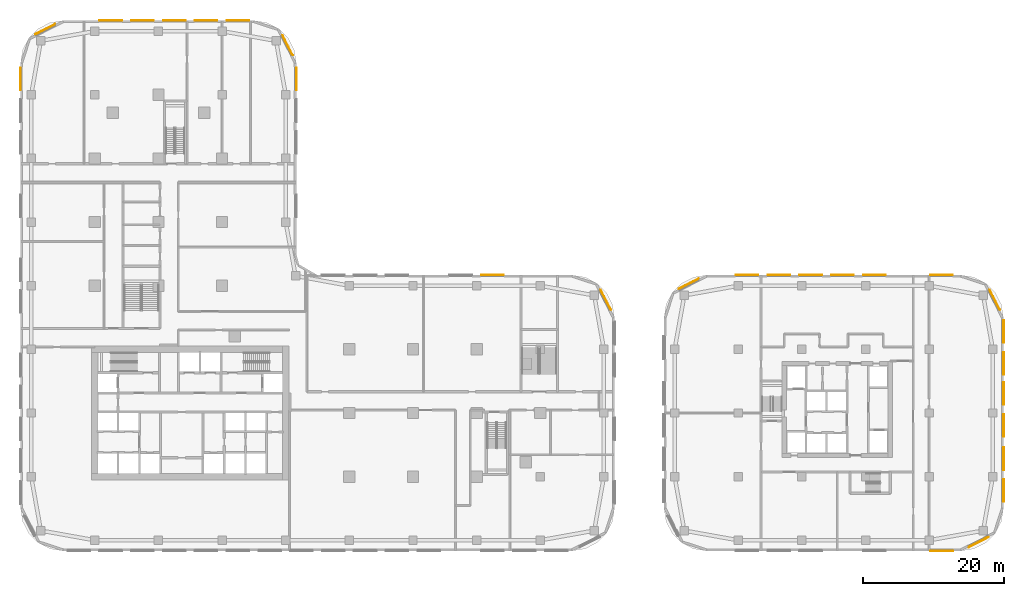
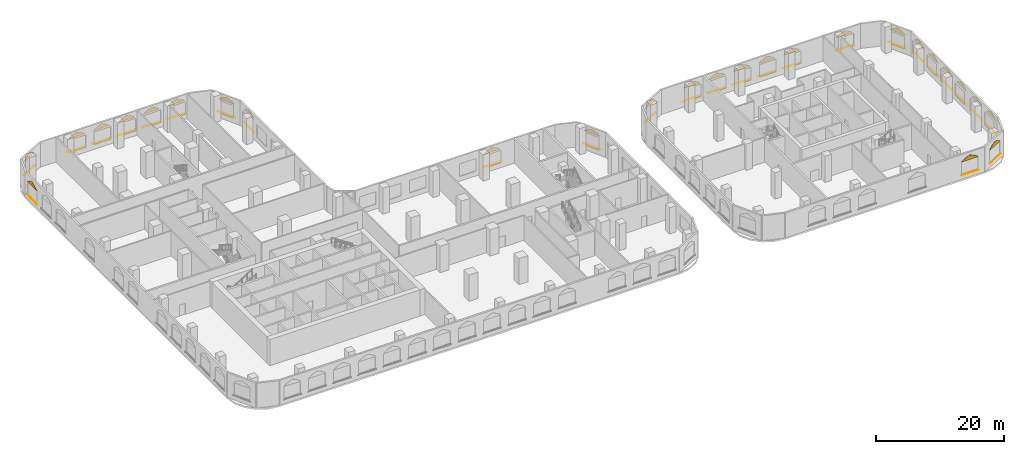
# One storey, part 31 of 31: 54 coverings.
"""IFC4 building model written with IfcOpenShell, lengths in metres."""

from ifc_helpers import new_model, si_unit, direction, frame, origin, origin_2d, place, context, subcontext, project, spatial, polyline, rectangle, outline, extrude, material, layer, layer_set, type_object, element, save


model = new_model("IFC4")

# Units and contexts
model_context = context("Model", 3, precision=1e-05, world=origin(), true_north=direction((0.0, 1.0)))
body_context = subcontext(model_context, "Body", "Model", "MODEL_VIEW")
ifc_project = project(units=[si_unit("LENGTHUNIT", "METRE"), si_unit("AREAUNIT", "SQUARE_METRE"), si_unit("VOLUMEUNIT", "CUBIC_METRE"), si_unit("PLANEANGLEUNIT", "RADIAN"), si_unit("MASSUNIT", "GRAM", prefix="KILO")], contexts=[model_context])

# Site, building, storey
site_placement = place(None, origin())
site = spatial("IfcSite", under=ifc_project, at=site_placement, CompositionType="ELEMENT")
building_placement = place(site_placement, origin())
building = spatial("IfcBuilding", under=site, at=building_placement, Name="Ogive Portal Towers", CompositionType="ELEMENT")
storey_placement = place(building_placement, frame((0.0, 0.0, 13.5)))
storey = spatial("IfcBuildingStorey", under=building, at=storey_placement, Name="L02", CompositionType="ELEMENT", Elevation=13.5)

# Coverings
ifc_material = material(Name="Limestone cladding on lightweight block wall", Category="masonry")
ifc_layer_1 = layer(ifc_material, 0.0400390625)
ifc_layer_set_1 = layer_set([ifc_layer_1], Name="LANCET HEAD STONE")
covering_type_1 = type_object("IfcCoveringType", Name="LANCET HEAD STONE", PredefinedType="CLADDING", material=ifc_layer_set_1)
covering_1_placement = place(storey_placement, frame((104.41162109375, 45.15478515625, 3.300048828125), z_axis=(-0.890951213184, -0.453986518369, 0.010108257236), x_axis=(-0.454009716366, 0.890996732567, -3.06364e-07)))
element("IfcCovering", 1, at=covering_1_placement, inside=storey, type_object=covering_type_1, Name="Lancet head", PredefinedType="CLADDING", context=body_context, shape_type="SweptSolid", body=[
    extrude(outline(polyline([(0.0, 0.0), (2.999890731384289, 0.0), (2.9337135819672038, -0.1125567277471324), (2.812400611987339, -0.22486506751868154), (2.6556000370748487, -0.3374203120598849), (2.469538433092914, -0.4499743995598753), (2.2588005222545657, -0.5625287879186986), (2.0255699014167377, -0.6750836458422428), (1.7721410097270687, -0.7873928150844063), (1.499929860246848, -0.8999490760785828), (1.2276287171759217, -0.7873937893609075), (0.9742165180292072, -0.6750829864833984), (0.741113432099835, -0.5625274171833613), (0.5303922139540335, -0.44997357711867286), (0.34434730266464575, -0.33741943619515136), (0.18734589194553927, -0.22486533182457222), (0.06626714300779069, -0.11255481996471935), (0.0, 0.0)])), origin(), (0.0, 0.0, -1.0), 0.0400390625),
])
for number, where, z_axis, x_axis, name in (
    (2, (89.25, 50.0, 3.300048828125), (0.0, -0.999950056531, 0.009994220538), (-1.0, 0.0, 0.0), "Lancet head"),
    (3, (60.0, 76.25, 3.300048828125), (-0.999950056531, 0.0, 0.009994220538), (0.0, 1.0, 0.0), "Lancet head"),
):
    element("IfcCovering", number, at=place(storey_placement, frame(where, z_axis=z_axis, x_axis=x_axis)), inside=storey, type_object=covering_type_1, Name=name, PredefinedType="CLADDING", context=body_context, shape_type="SweptSolid", body=[
        extrude(outline(polyline([(0.0, 0.0), (3.0, 0.0), (2.93359375, -0.11255540702230543), (2.8125, -0.22486424561759202), (2.655517578125, -0.3374196526398974), (2.4697265625, -0.4499726196669543), (2.2587890625, -0.5625280266892596), (2.025634765625, -0.6750834337115651), (1.772216796875, -0.7873922723068517), (1.5, -0.8999476793291572), (1.227783203125, -0.7873922723068517), (0.974365234375, -0.6750834337115651), (0.7412109375, -0.5625280266892596), (0.5302734375, -0.4499726196669543), (0.344482421875, -0.3374196526398974), (0.1875, -0.22486424561759202), (0.06640625, -0.11255540702230543), (0.0, 0.0)])), origin(), (0.0, 0.0, -1.0), 0.0400390625),
    ])
covering_2_placement = place(storey_placement, frame((59.41162109375, 81.15478515625, 3.300048828125), z_axis=(-0.890951213184, -0.453986518369, 0.010108257236), x_axis=(-0.454009716366, 0.890996732567, -3.06364e-07)))
element("IfcCovering", 4, at=covering_2_placement, inside=storey, type_object=covering_type_1, Name="Lancet head", PredefinedType="CLADDING", context=body_context, shape_type="SweptSolid", body=[
    extrude(outline(polyline([(0.0, 0.0), (2.999890731384289, 0.0), (2.9337135819672038, -0.1125567277471324), (2.812400611987339, -0.22486506751868154), (2.6556000370748487, -0.3374203120598849), (2.469538433092914, -0.4499743995598753), (2.2588005222545657, -0.5625287879186986), (2.0255699014167377, -0.6750836458422428), (1.7721410097270687, -0.7873928150844063), (1.499929860246848, -0.8999490760785828), (1.2276287171759217, -0.7873937893609075), (0.9742165180292072, -0.6750829864833984), (0.741113432099835, -0.5625274171833613), (0.5303922139540335, -0.44997357711867286), (0.34434730266464575, -0.33741943619515136), (0.18734589194553927, -0.22486533182457222), (0.06626714300779069, -0.11255481996471935), (0.0, 0.0)])), origin(), (0.0, 0.0, -1.0), 0.0400390625),
])
covering_3_placement = place(storey_placement, frame((53.226318359375, 86.0, 3.300048828125), z_axis=(0.0, -0.99995005646, 0.009994227635), x_axis=(-1.0, 0.0, 0.0)))
element("IfcCovering", 5, at=covering_3_placement, inside=storey, type_object=covering_type_1, Name="Lancet head", PredefinedType="CLADDING", context=body_context, shape_type="SweptSolid", body=[
    extrude(outline(polyline([(0.0, 0.0), (3.0, 0.0), (2.933837890625, -0.11255540702298532), (2.8125, -0.22486424561723664), (2.655517578125, -0.33741965264022195), (2.4697265625, -0.44997261966622615), (2.259033203125, -0.5625280266892115), (2.02587890625, -0.6750834337121968), (1.7724609375, -0.7873922723064481), (1.5, -0.8999476793294334), (1.227783203125, -0.7873922723064481), (0.974365234375, -0.6750834337121968), (0.7412109375, -0.5625280266892115), (0.530517578125, -0.44997261966622615), (0.344482421875, -0.33741965264022195), (0.1875, -0.22486424561723664), (0.06640625, -0.11255540702298532), (0.0, 0.0)])), origin(), (0.0, 0.0, -1.0), 0.0400390625),
])
for number, where, z_axis, x_axis, name in (
    (6, (48.75, 86.0, 3.300048828125), (0.0, -0.999950056531, 0.009994220538), (-1.0, 0.0, 0.0), "Lancet head"),
    (7, (44.25, 86.0, 3.300048828125), (0.0, -0.999950056531, 0.009994220538), (-1.0, 0.0, 0.0), "Lancet head"),
    (8, (39.75, 86.0, 3.300048828125), (0.0, -0.999950056531, 0.009994220538), (-1.0, 0.0, 0.0), "Lancet head"),
    (9, (35.25, 86.0, 3.300048828125), (0.0, -0.999950056531, 0.009994220538), (-1.0, 0.0, 0.0), "Lancet head"),
):
    element("IfcCovering", number, at=place(storey_placement, frame(where, z_axis=z_axis, x_axis=x_axis)), inside=storey, type_object=covering_type_1, Name=name, PredefinedType="CLADDING", context=body_context, shape_type="SweptSolid", body=[
        extrude(outline(polyline([(0.0, 0.0), (3.0, 0.0), (2.93359375, -0.11255540702230543), (2.8125, -0.22486424561759202), (2.655517578125, -0.3374196526398974), (2.4697265625, -0.4499726196669543), (2.2587890625, -0.5625280266892596), (2.025634765625, -0.6750834337115651), (1.772216796875, -0.7873922723068517), (1.5, -0.8999476793291572), (1.227783203125, -0.7873922723068517), (0.974365234375, -0.6750834337115651), (0.7412109375, -0.5625280266892596), (0.5302734375, -0.4499726196669543), (0.344482421875, -0.3374196526398974), (0.1875, -0.22486424561759202), (0.06640625, -0.11255540702230543), (0.0, 0.0)])), origin(), (0.0, 0.0, -1.0), 0.0400390625),
    ])
covering_4_placement = place(storey_placement, frame((25.84521484375, 85.41162109375, 3.300048828125), z_axis=(0.453986518369, -0.890951213184, 0.010108257236), x_axis=(-0.890996732567, -0.454009716366, -3.06364e-07)))
element("IfcCovering", 10, at=covering_4_placement, inside=storey, type_object=covering_type_1, Name="Lancet head", PredefinedType="CLADDING", context=body_context, shape_type="SweptSolid", body=[
    extrude(outline(polyline([(0.0, 0.0), (2.999890731384289, 0.0), (2.9337135819672038, -0.1125567277471324), (2.812400611987339, -0.22486506751868154), (2.6556000370748487, -0.3374203120598849), (2.469538433092914, -0.4499743995598753), (2.2588005222545657, -0.5625287879186986), (2.0255699014167377, -0.6750836458422428), (1.7721410097270687, -0.7873928150844063), (1.499929860246848, -0.8999490760785828), (1.2276287171759217, -0.7873937893609075), (0.9742165180292072, -0.6750829864833984), (0.741113432099835, -0.5625274171833613), (0.5303922139540335, -0.44997357711867286), (0.34434730266464575, -0.33741943619515136), (0.18734589194553927, -0.22486533182457222), (0.06626714300779069, -0.11255481996471935), (0.0, 0.0)])), origin(), (0.0, 0.0, -1.0), 0.0400390625),
])
for number, where, z_axis, x_axis, name in (
    (11, (21.0, 79.226318359375, 3.300048828125), (0.99995005646, 0.0, 0.009994227635), (0.0, -1.0, 0.0), "Lancet head"),
    (12, (149.773681640625, 11.0, 3.300048828125), (0.0, 0.99995005646, 0.009994227635), (1.0, 0.0, 0.0), "Lancet head"),
):
    element("IfcCovering", number, at=place(storey_placement, frame(where, z_axis=z_axis, x_axis=x_axis)), inside=storey, type_object=covering_type_1, Name=name, PredefinedType="CLADDING", context=body_context, shape_type="SweptSolid", body=[
        extrude(outline(polyline([(0.0, 0.0), (3.0, 0.0), (2.933837890625, -0.11255540702298532), (2.8125, -0.22486424561723664), (2.655517578125, -0.33741965264022195), (2.4697265625, -0.44997261966622615), (2.259033203125, -0.5625280266892115), (2.02587890625, -0.6750834337121968), (1.7724609375, -0.7873922723064481), (1.5, -0.8999476793294334), (1.227783203125, -0.7873922723064481), (0.974365234375, -0.6750834337121968), (0.7412109375, -0.5625280266892115), (0.530517578125, -0.44997261966622615), (0.344482421875, -0.33741965264022195), (0.1875, -0.22486424561723664), (0.06640625, -0.11255540702298532), (0.0, 0.0)])), origin(), (0.0, 0.0, -1.0), 0.0400390625),
    ])
covering_5_placement = place(storey_placement, frame((155.15478515625, 11.58837890625, 3.300048828125), z_axis=(-0.453986518369, 0.890951213184, 0.010108257236), x_axis=(0.890996732567, 0.454009716366, -3.06364e-07)))
element("IfcCovering", 13, at=covering_5_placement, inside=storey, type_object=covering_type_1, Name="Lancet head", PredefinedType="CLADDING", context=body_context, shape_type="SweptSolid", body=[
    extrude(outline(polyline([(0.0, 0.0), (2.999890731384289, 0.0), (2.9337135819672038, -0.1125567277471324), (2.812400611987339, -0.22486506751868154), (2.6556000370748487, -0.3374203120598849), (2.469538433092914, -0.4499743995598753), (2.2588005222545657, -0.5625287879186986), (2.0255699014167377, -0.6750836458422428), (1.7721410097270687, -0.7873928150844063), (1.499929860246848, -0.8999490760785828), (1.2276287171759217, -0.7873937893609075), (0.9742165180292072, -0.6750829864833984), (0.741113432099835, -0.5625274171833613), (0.5303922139540335, -0.44997357711867286), (0.34434730266464575, -0.33741943619515136), (0.18734589194553927, -0.22486533182457222), (0.06626714300779069, -0.11255481996471935), (0.0, 0.0)])), origin(), (0.0, 0.0, -1.0), 0.0400390625),
])
for number, where, z_axis, x_axis, name in (
    (14, (160.0, 18.023681640625, 3.300048828125), (-0.99995005646, 0.0, 0.009994227635), (0.0, 1.0, 0.0), "Lancet head"),
    (15, (160.0, 22.523681640625, 3.300048828125), (-0.99995005646, 0.0, 0.009994227635), (0.0, 1.0, 0.0), "Lancet head"),
):
    element("IfcCovering", number, at=place(storey_placement, frame(where, z_axis=z_axis, x_axis=x_axis)), inside=storey, type_object=covering_type_1, Name=name, PredefinedType="CLADDING", context=body_context, shape_type="SweptSolid", body=[
        extrude(outline(polyline([(0.0, 0.0), (3.0, 0.0), (2.933837890625, -0.11255540702298532), (2.8125, -0.22486424561723664), (2.655517578125, -0.33741965264022195), (2.4697265625, -0.44997261966622615), (2.259033203125, -0.5625280266892115), (2.02587890625, -0.6750834337121968), (1.7724609375, -0.7873922723064481), (1.5, -0.8999476793294334), (1.227783203125, -0.7873922723064481), (0.974365234375, -0.6750834337121968), (0.7412109375, -0.5625280266892115), (0.530517578125, -0.44997261966622615), (0.344482421875, -0.33741965264022195), (0.1875, -0.22486424561723664), (0.06640625, -0.11255540702298532), (0.0, 0.0)])), origin(), (0.0, 0.0, -1.0), 0.0400390625),
    ])
for number, where, z_axis, x_axis, name in (
    (16, (160.0, 27.25, 3.300048828125), (-0.999950056531, 0.0, 0.009994220538), (0.0, 1.0, 0.0), "Lancet head"),
    (17, (160.0, 31.75, 3.300048828125), (-0.999950056531, 0.0, 0.009994220538), (0.0, 1.0, 0.0), "Lancet head"),
):
    element("IfcCovering", number, at=place(storey_placement, frame(where, z_axis=z_axis, x_axis=x_axis)), inside=storey, type_object=covering_type_1, Name=name, PredefinedType="CLADDING", context=body_context, shape_type="SweptSolid", body=[
        extrude(outline(polyline([(0.0, 0.0), (3.0, 0.0), (2.93359375, -0.11255540702230543), (2.8125, -0.22486424561759202), (2.655517578125, -0.3374196526398974), (2.4697265625, -0.4499726196669543), (2.2587890625, -0.5625280266892596), (2.025634765625, -0.6750834337115651), (1.772216796875, -0.7873922723068517), (1.5, -0.8999476793291572), (1.227783203125, -0.7873922723068517), (0.974365234375, -0.6750834337115651), (0.7412109375, -0.5625280266892596), (0.5302734375, -0.4499726196669543), (0.344482421875, -0.3374196526398974), (0.1875, -0.22486424561759202), (0.06640625, -0.11255540702230543), (0.0, 0.0)])), origin(), (0.0, 0.0, -1.0), 0.0400390625),
    ])
for number, where, z_axis, x_axis, name in (
    (18, (160.0, 36.023681640625, 3.300048828125), (-0.99995005646, 0.0, 0.009994227635), (0.0, 1.0, 0.0), "Lancet head"),
    (19, (160.0, 40.523681640625, 3.300048828125), (-0.99995005646, 0.0, 0.009994227635), (0.0, 1.0, 0.0), "Lancet head"),
):
    element("IfcCovering", number, at=place(storey_placement, frame(where, z_axis=z_axis, x_axis=x_axis)), inside=storey, type_object=covering_type_1, Name=name, PredefinedType="CLADDING", context=body_context, shape_type="SweptSolid", body=[
        extrude(outline(polyline([(0.0, 0.0), (3.0, 0.0), (2.933837890625, -0.11255540702298532), (2.8125, -0.22486424561723664), (2.655517578125, -0.33741965264022195), (2.4697265625, -0.44997261966622615), (2.259033203125, -0.5625280266892115), (2.02587890625, -0.6750834337121968), (1.7724609375, -0.7873922723064481), (1.5, -0.8999476793294334), (1.227783203125, -0.7873922723064481), (0.974365234375, -0.6750834337121968), (0.7412109375, -0.5625280266892115), (0.530517578125, -0.44997261966622615), (0.344482421875, -0.33741965264022195), (0.1875, -0.22486424561723664), (0.06640625, -0.11255540702298532), (0.0, 0.0)])), origin(), (0.0, 0.0, -1.0), 0.0400390625),
    ])
covering_6_placement = place(storey_placement, frame((159.41162109375, 45.15478515625, 3.300048828125), z_axis=(-0.890951213184, -0.453986518369, 0.010108257236), x_axis=(-0.454009716366, 0.890996732567, -3.06364e-07)))
element("IfcCovering", 20, at=covering_6_placement, inside=storey, type_object=covering_type_1, Name="Lancet head", PredefinedType="CLADDING", context=body_context, shape_type="SweptSolid", body=[
    extrude(outline(polyline([(0.0, 0.0), (2.999890731384289, 0.0), (2.9337135819672038, -0.1125567277471324), (2.812400611987339, -0.22486506751868154), (2.6556000370748487, -0.3374203120598849), (2.469538433092914, -0.4499743995598753), (2.2588005222545657, -0.5625287879186986), (2.0255699014167377, -0.6750836458422428), (1.7721410097270687, -0.7873928150844063), (1.499929860246848, -0.8999490760785828), (1.2276287171759217, -0.7873937893609075), (0.9742165180292072, -0.6750829864833984), (0.741113432099835, -0.5625274171833613), (0.5303922139540335, -0.44997357711867286), (0.34434730266464575, -0.33741943619515136), (0.18734589194553927, -0.22486533182457222), (0.06626714300779069, -0.11255481996471935), (0.0, 0.0)])), origin(), (0.0, 0.0, -1.0), 0.0400390625),
])
covering_7_placement = place(storey_placement, frame((152.726318359375, 50.0, 3.300048828125), z_axis=(0.0, -0.99995005646, 0.009994227635), x_axis=(-1.0, 0.0, 0.0)))
element("IfcCovering", 21, at=covering_7_placement, inside=storey, type_object=covering_type_1, Name="Lancet head", PredefinedType="CLADDING", context=body_context, shape_type="SweptSolid", body=[
    extrude(outline(polyline([(0.0, 0.0), (3.0, 0.0), (2.933837890625, -0.11255540702298532), (2.8125, -0.22486424561723664), (2.655517578125, -0.33741965264022195), (2.4697265625, -0.44997261966622615), (2.259033203125, -0.5625280266892115), (2.02587890625, -0.6750834337121968), (1.7724609375, -0.7873922723064481), (1.5, -0.8999476793294334), (1.227783203125, -0.7873922723064481), (0.974365234375, -0.6750834337121968), (0.7412109375, -0.5625280266892115), (0.530517578125, -0.44997261966622615), (0.344482421875, -0.33741965264022195), (0.1875, -0.22486424561723664), (0.06640625, -0.11255540702298532), (0.0, 0.0)])), origin(), (0.0, 0.0, -1.0), 0.0400390625),
])
for number, where, z_axis, x_axis, name in (
    (22, (143.25, 50.0, 3.300048828125), (0.0, -0.999950056531, 0.009994220538), (-1.0, 0.0, 0.0), "Lancet head"),
    (23, (138.75, 50.0, 3.300048828125), (0.0, -0.999950056531, 0.009994220538), (-1.0, 0.0, 0.0), "Lancet head"),
    (24, (134.25, 50.0, 3.300048828125), (0.0, -0.999950056531, 0.009994220538), (-1.0, 0.0, 0.0), "Lancet head"),
    (25, (129.75, 50.0, 3.300048828125), (0.0, -0.999950056531, 0.009994220538), (-1.0, 0.0, 0.0), "Lancet head"),
    (26, (125.25, 50.0, 3.300048828125), (0.0, -0.999950056531, 0.009994220538), (-1.0, 0.0, 0.0), "Lancet head"),
):
    element("IfcCovering", number, at=place(storey_placement, frame(where, z_axis=z_axis, x_axis=x_axis)), inside=storey, type_object=covering_type_1, Name=name, PredefinedType="CLADDING", context=body_context, shape_type="SweptSolid", body=[
        extrude(outline(polyline([(0.0, 0.0), (3.0, 0.0), (2.93359375, -0.11255540702230543), (2.8125, -0.22486424561759202), (2.655517578125, -0.3374196526398974), (2.4697265625, -0.4499726196669543), (2.2587890625, -0.5625280266892596), (2.025634765625, -0.6750834337115651), (1.772216796875, -0.7873922723068517), (1.5, -0.8999476793291572), (1.227783203125, -0.7873922723068517), (0.974365234375, -0.6750834337115651), (0.7412109375, -0.5625280266892596), (0.5302734375, -0.4499726196669543), (0.344482421875, -0.3374196526398974), (0.1875, -0.22486424561759202), (0.06640625, -0.11255540702230543), (0.0, 0.0)])), origin(), (0.0, 0.0, -1.0), 0.0400390625),
    ])
covering_8_placement = place(storey_placement, frame((116.84521484375, 49.41162109375, 3.300048828125), z_axis=(0.453986518369, -0.890951213184, 0.010108257236), x_axis=(-0.890996732567, -0.454009716366, -3.06364e-07)))
element("IfcCovering", 27, at=covering_8_placement, inside=storey, type_object=covering_type_1, Name="Lancet head", PredefinedType="CLADDING", context=body_context, shape_type="SweptSolid", body=[
    extrude(outline(polyline([(0.0, 0.0), (2.999890731384289, 0.0), (2.9337135819672038, -0.1125567277471324), (2.812400611987339, -0.22486506751868154), (2.6556000370748487, -0.3374203120598849), (2.469538433092914, -0.4499743995598753), (2.2588005222545657, -0.5625287879186986), (2.0255699014167377, -0.6750836458422428), (1.7721410097270687, -0.7873928150844063), (1.499929860246848, -0.8999490760785828), (1.2276287171759217, -0.7873937893609075), (0.9742165180292072, -0.6750829864833984), (0.741113432099835, -0.5625274171833613), (0.5303922139540335, -0.44997357711867286), (0.34434730266464575, -0.33741943619515136), (0.18734589194553927, -0.22486533182457222), (0.06626714300779069, -0.11255481996471935), (0.0, 0.0)])), origin(), (0.0, 0.0, -1.0), 0.0400390625),
])
ifc_layer_2 = layer(ifc_material, 0.080078125)
ifc_layer_set_2 = layer_set([ifc_layer_2], Name="STONE SILL 80")
covering_type_2 = type_object("IfcCoveringType", Name="STONE SILL 80", PredefinedType="CLADDING", material=ifc_layer_set_2)
for number, where, z_axis, x_axis, name in (
    (28, (103.766357421875, 46.50927734375, 0.840087890625), (0.0, 0.0, 1.0), (-0.45399049974, 0.891006524188, 0.0), "Stone sill"),
    (29, (87.75, 50.0400390625, 0.840087890625), (0.0, 0.0, 1.0), (-1.0, 0.0, 0.0), "Stone sill"),
    (30, (60.0400390625, 77.75, 0.840087890625), (0.0, 0.0, 1.0), (0.0, 1.0, 0.0), "Stone sill"),
    (31, (58.766357421875, 82.50927734375, 0.840087890625), (0.0, 0.0, 1.0), (-0.45399049974, 0.891006524188, 0.0), "Stone sill"),
    (32, (51.726318359375, 86.0400390625, 0.840087890625), (0.0, 0.0, 1.0), (-1.0, 0.0, 0.0), "Stone sill"),
    (33, (47.25, 86.0400390625, 0.840087890625), (0.0, 0.0, 1.0), (-1.0, 0.0, 0.0), "Stone sill"),
    (34, (42.75, 86.0400390625, 0.840087890625), (0.0, 0.0, 1.0), (-1.0, 0.0, 0.0), "Stone sill"),
    (35, (38.25, 86.0400390625, 0.840087890625), (0.0, 0.0, 1.0), (-1.0, 0.0, 0.0), "Stone sill"),
    (36, (33.75, 86.0400390625, 0.840087890625), (0.0, 0.0, 1.0), (-1.0, 0.0, 0.0), "Stone sill"),
    (37, (24.49072265625, 84.766357421875, 0.840087890625), (0.0, 0.0, 1.0), (-0.891006524188, -0.45399049974, 0.0), "Stone sill"),
    (38, (20.9599609375, 77.726318359375, 0.840087890625), (0.0, 0.0, 1.0), (0.0, -1.0, 0.0), "Stone sill"),
    (39, (151.273681640625, 10.9599609375, 0.840087890625), (0.0, 0.0, 1.0), (1.0, 0.0, 0.0), "Stone sill"),
    (40, (156.50927734375, 12.233642578125, 0.840087890625), (0.0, 0.0, 1.0), (0.891006524188, 0.45399049974, 0.0), "Stone sill"),
    (41, (160.0400390625, 19.523681640625, 0.840087890625), (0.0, 0.0, 1.0), (0.0, 1.0, 0.0), "Stone sill"),
    (42, (160.0400390625, 24.023681640625, 0.840087890625), (0.0, 0.0, 1.0), (0.0, 1.0, 0.0), "Stone sill"),
    (43, (160.0400390625, 28.75, 0.840087890625), (0.0, 0.0, 1.0), (0.0, 1.0, 0.0), "Stone sill"),
    (44, (160.0400390625, 33.25, 0.840087890625), (0.0, 0.0, 1.0), (0.0, 1.0, 0.0), "Stone sill"),
    (45, (160.0400390625, 37.523681640625, 0.840087890625), (0.0, 0.0, 1.0), (0.0, 1.0, 0.0), "Stone sill"),
    (46, (160.0400390625, 42.023681640625, 0.840087890625), (0.0, 0.0, 1.0), (0.0, 1.0, 0.0), "Stone sill"),
    (47, (158.766357421875, 46.50927734375, 0.840087890625), (0.0, 0.0, 1.0), (-0.45399049974, 0.891006524188, 0.0), "Stone sill"),
    (48, (151.226318359375, 50.0400390625, 0.840087890625), (0.0, 0.0, 1.0), (-1.0, 0.0, 0.0), "Stone sill"),
    (49, (141.75, 50.0400390625, 0.840087890625), (0.0, 0.0, 1.0), (-1.0, 0.0, 0.0), "Stone sill"),
    (50, (137.25, 50.0400390625, 0.840087890625), (0.0, 0.0, 1.0), (-1.0, 0.0, 0.0), "Stone sill"),
    (51, (132.75, 50.0400390625, 0.840087890625), (0.0, 0.0, 1.0), (-1.0, 0.0, 0.0), "Stone sill"),
    (52, (128.25, 50.0400390625, 0.840087890625), (0.0, 0.0, 1.0), (-1.0, 0.0, 0.0), "Stone sill"),
    (53, (123.75, 50.0400390625, 0.840087890625), (0.0, 0.0, 1.0), (-1.0, 0.0, 0.0), "Stone sill"),
    (54, (115.49072265625, 48.766357421875, 0.840087890625), (0.0, 0.0, 1.0), (-0.891006524188, -0.45399049974, 0.0), "Stone sill"),
):
    element("IfcCovering", number, at=place(storey_placement, frame(where, z_axis=z_axis, x_axis=x_axis)), inside=storey, type_object=covering_type_2, Name=name, PredefinedType="CLADDING", context=body_context, shape_type="SweptSolid", body=[
        extrude(rectangle(XDim=3.199951171875, YDim=0.080078125, at=origin_2d()), origin(), (0.0, 0.0, 1.0), 0.06005859375),
    ])

save(model, "model.ifc")
